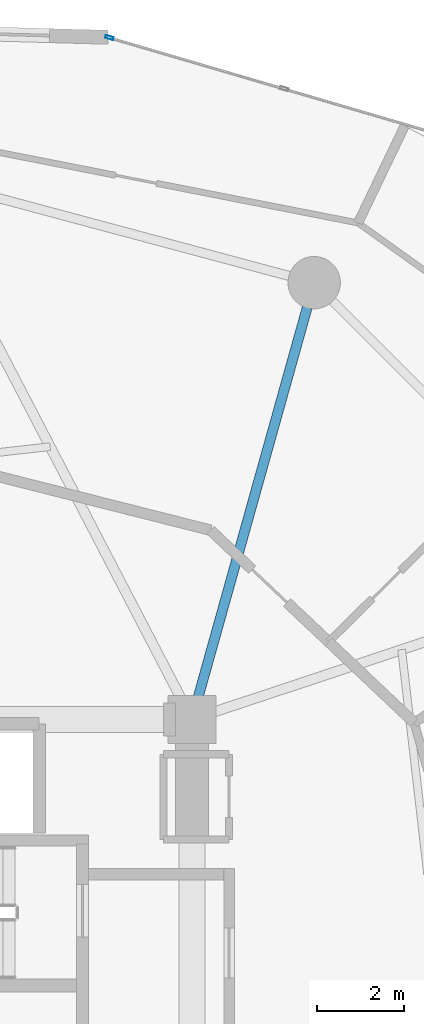
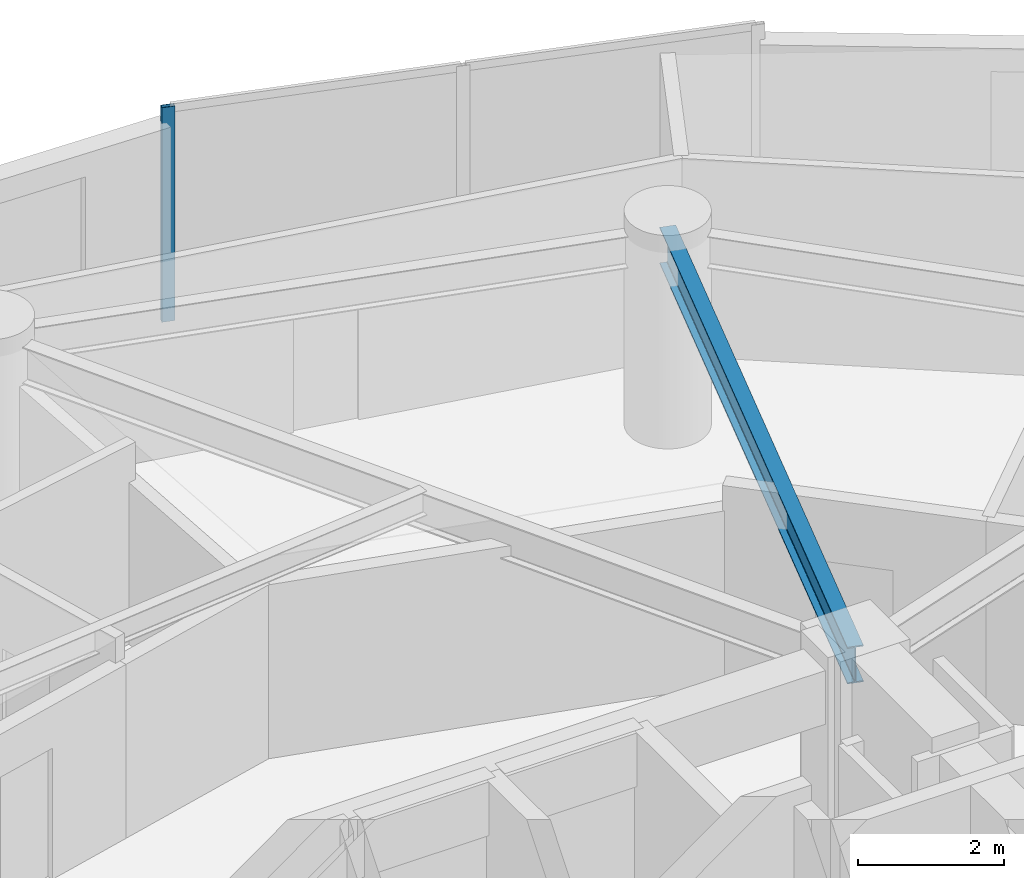
# One storey, part 13 of 23: 1 beam, 1 member, 1 element without a shape of its own.
"""IFC4 building model written with IfcOpenShell, lengths in metres."""

from ifc_helpers import new_model, si_unit, direction, frame, origin, origin_2d, place, context, subcontext, project, spatial, hollow_rectangle, i_section, extrude, source, transform, mapped, material, layer, layer_set, material_profile, profile_set, type_object, element, aggregate, save


model = new_model("IFC4")

# Units and contexts
model_context = context("Model", 3, precision=1e-05, world=origin(), true_north=direction((0.0, 1.0)))
body_context = subcontext(model_context, "Body", "Model", "MODEL_VIEW")
ifc_project = project(units=[si_unit("LENGTHUNIT", "METRE"), si_unit("AREAUNIT", "SQUARE_METRE"), si_unit("VOLUMEUNIT", "CUBIC_METRE"), si_unit("PLANEANGLEUNIT", "RADIAN"), si_unit("MASSUNIT", "GRAM", prefix="KILO")], contexts=[model_context])

# Site, building, storey
site_placement = place(None, origin())
site = spatial("IfcSite", under=ifc_project, at=site_placement, CompositionType="ELEMENT")
building_placement = place(site_placement, origin())
building = spatial("IfcBuilding", under=site, at=building_placement, Name="Solvirekh Grand Hotel", CompositionType="ELEMENT")
storey_placement = place(building_placement, frame((0.0, 0.0, 42.800048828125)))
storey = spatial("IfcBuildingStorey", under=building, at=storey_placement, Name="L09", CompositionType="ELEMENT", Elevation=42.800048828125)

# Beam
ifc_material_1 = material(Name="Steel S355", Category="steel")
ifc_material_profile_1 = material_profile(ifc_material_1, i_section(OverallWidth=0.22802734375, OverallDepth=0.616943359375, WebThickness=0.012939453125, FlangeThickness=0.02001953125, FilletRadius=0.014892578125, at=origin_2d()), Name="W610X140")
ifc_profile_set_1 = profile_set([ifc_material_profile_1], Name="Steel S355")
beam_type = type_object("IfcBeamType", Name="Beam_Radial_W610", PredefinedType="BEAM", material=ifc_profile_set_1)
beam_placement = place(storey_placement, frame((6.5, 6.10009765625, 3.031005859375), z_axis=(0.269439084681, 0.963017434757, 0.0), x_axis=(-0.963017434757, 0.269439084681, 0.0)))
element("IfcBeam", 1, at=beam_placement, inside=storey, type_object=beam_type, Name="L09 radial floor beam R03", PredefinedType="BEAM", context=body_context, shape_type="SweptSolid", body=[
    extrude(i_section(OverallWidth=0.22802734375, OverallDepth=0.616943359375, WebThickness=0.012939453125, FlangeThickness=0.02001953125, FilletRadius=0.014892578125, at=origin_2d()), origin(), (0.0, 0.0, 1.0), 10.39208984375),
])

# Curtain wall, member
ifc_material_2 = material(Name="Anodized Bronze Aluminium 6063-T6", Category="aluminium")
ifc_layer = layer(ifc_material_2, 0.18994140625)
ifc_layer_set = layer_set([ifc_layer], Name="Anodized Bronze Aluminium 6063-T6")
curtain_wall_type = type_object("IfcCurtainWallType", Name="CW_Sys2_LowZoneFlushBronzeCW", PredefinedType="NOTDEFINED", material=ifc_layer_set)
curtain_wall_placement = place(storey_placement, origin())
curtain_wall = element("IfcCurtainWall", 2, at=curtain_wall_placement, inside=storey, type_object=curtain_wall_type, Name="L09 unitised bronze-glass curtain wall CW-L09-C05", PredefinedType="NOTDEFINED")
ifc_material_profile_2 = material_profile(ifc_material_2, hollow_rectangle(XDim=0.070068359375, YDim=0.18994140625, WallThickness=0.0048828125, at=origin_2d()), Name="ALU RHS 190X70X5")
ifc_profile_set_2 = profile_set([ifc_material_profile_2], Name="Anodized Bronze Aluminium 6063-T6")
member_type = type_object("IfcMemberType", Name="CWMullion_Sys2", PredefinedType="MULLION", material=ifc_profile_set_2)
shared_shape = source(origin(), body_context, "Body", "SweptSolid", [
    extrude(hollow_rectangle(XDim=0.070068359375, YDim=0.18994140625, WallThickness=0.0048828125, at=origin_2d()), origin(), (0.0, 0.0, 1.0), 3.599853515625),
])
member_placement = place(storey_placement, frame((4.609619140625, 21.72216796875, 0.0), z_axis=(0.0, 0.0, 1.0), x_axis=(-0.280994885282, -0.959709265583, 0.0)))
member = element("IfcMember", 3, at=member_placement, type_object=member_type, Name="U02 mullion 3", PredefinedType="MULLION", context=body_context, shape_type="MappedRepresentation", body=[
    mapped(shared_shape, transform((0.0, 0.0, 0.0), x_axis=(1.0, 0.0, 0.0), y_axis=(0.0, 1.0, 0.0), z_axis=(0.0, 0.0, 1.0), scale=1.0)),
])
aggregate(curtain_wall, [member])

save(model, "model.ifc")
